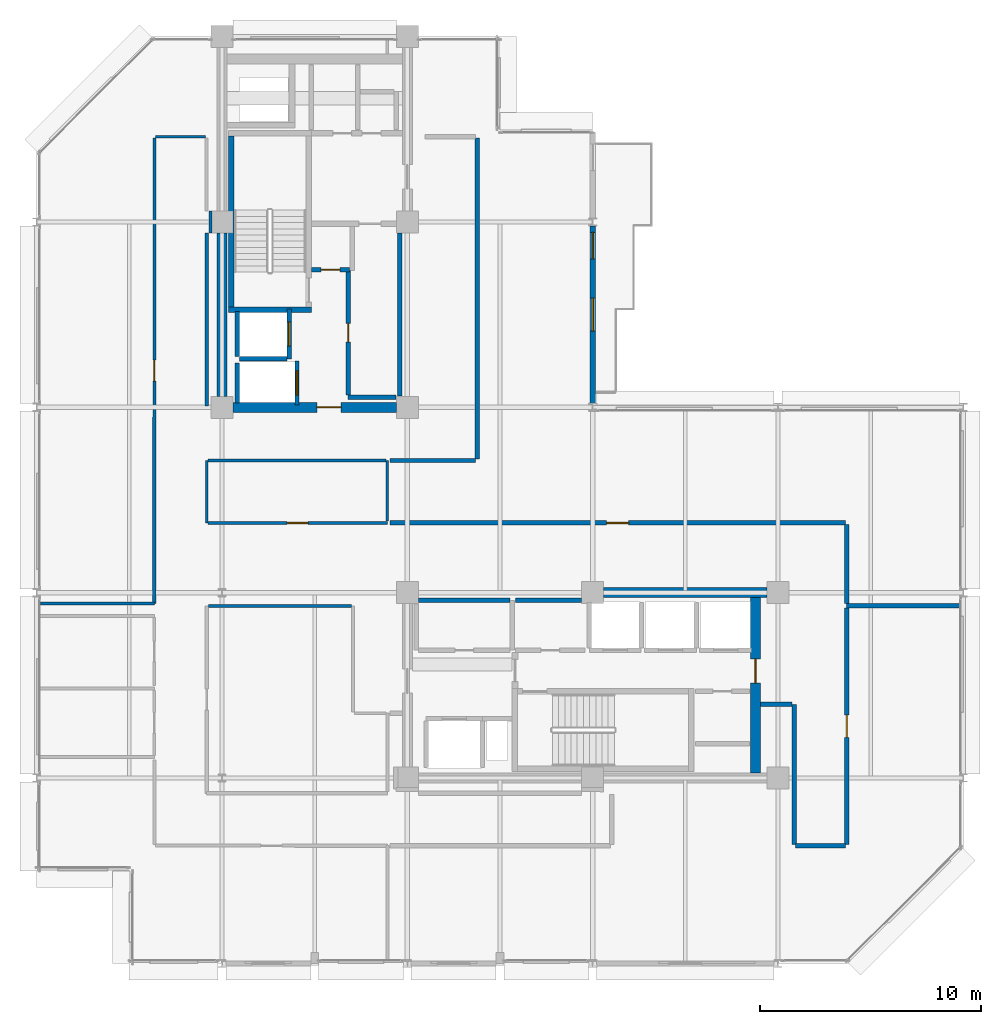
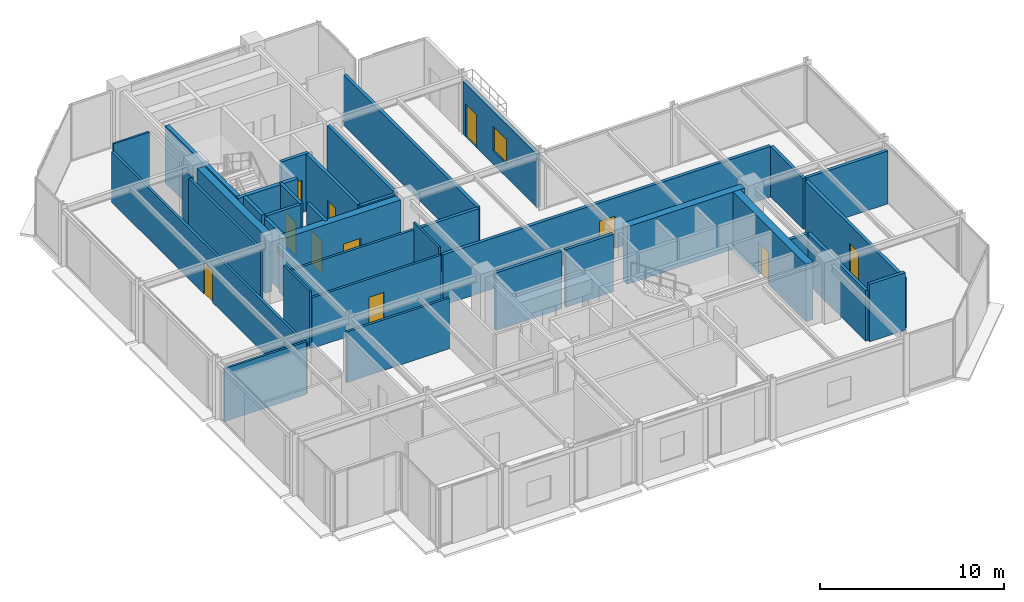
# One storey, part 21 of 26: 37 walls, 11 doors, 1 window, 12 openings.
"""IFC4 building model written with IfcOpenShell, lengths in metres."""

from ifc_helpers import new_model, si_unit, direction, frame, frame_2d, origin, place, context, subcontext, project, spatial, rectangle, extrude, material, layer, layer_set, type_object, element, fill, save


model = new_model("IFC4")

# Units and contexts
model_context = context("Model", 3, precision=1e-05, world=origin(), true_north=direction((0.0, 1.0)))
body_context = subcontext(model_context, "Body", "Model", "MODEL_VIEW")
ifc_project = project(units=[si_unit("LENGTHUNIT", "METRE"), si_unit("AREAUNIT", "SQUARE_METRE"), si_unit("VOLUMEUNIT", "CUBIC_METRE"), si_unit("PLANEANGLEUNIT", "RADIAN"), si_unit("MASSUNIT", "GRAM", prefix="KILO")], contexts=[model_context])

# Site, building, storey
site_placement = place(None, origin())
site = spatial("IfcSite", under=ifc_project, at=site_placement, CompositionType="ELEMENT")
building_placement = place(site_placement, origin())
building = spatial("IfcBuilding", under=site, at=building_placement, Name="Nerrivon Quay Data Exchange", CompositionType="ELEMENT")
storey_placement = place(building_placement, frame((0.0, 0.0, 228.800048828125)))
storey = spatial("IfcBuildingStorey", under=building, at=storey_placement, Name="L54", CompositionType="ELEMENT", Elevation=228.800048828125)

# Wall, openings, door, window
ifc_material_1 = material(Name="Architectural terracotta precast concrete N50 (50 MPa)", Category="masonry")
ifc_layer_1 = layer(ifc_material_1, 0.239990234375)
ifc_layer_set_1 = layer_set([ifc_layer_1], Name="Architectural terracotta precast concrete N50 (50 MPa)")
wall_type_1 = type_object("IfcWallType", Name="EW-PREC-240", PredefinedType="STANDARD", material=ifc_layer_set_1)
wall_1_placement = place(storey_placement, frame((25.199951171875, 33.425048828125, 0.0), z_axis=(0.0, 0.0, 1.0), x_axis=(0.0, -1.0, 0.0)))
wall_1 = element("IfcWall", 1, at=wall_1_placement, inside=storey, type_object=wall_type_1, Name="L54 Terrace Host Wall 23", PredefinedType="STANDARD", context=body_context, shape_type="SweptSolid", body=[
    extrude(rectangle(XDim=8.050048828125, YDim=0.239990234375, at=frame_2d((4.02490234375, 0.0))), origin(), (0.0, 0.0, 1.0), 3.52490234375),
])
opening_1_placement = place(wall_1_placement, frame((0.300048828125, 0.0, 0.0)))
opening_1 = element("IfcOpeningElement", 2, at=opening_1_placement, cuts=wall_1, Name="Opening TD1", PredefinedType="OPENING", context=body_context, shape_type="SweptSolid", body=[
    extrude(rectangle(XDim=1.199951171875, YDim=2.199951171875, at=frame_2d((0.60009765625, 1.10009765625))), frame((0.0, 0.1298828125, 0.0), z_axis=(0.0, -1.0, 0.0), x_axis=(1.0, 0.0, 0.0)), (0.0, 0.0, 1.0), 0.260009765625),
])
opening_2_placement = place(wall_1_placement, frame((3.27490234375, 0.0, 0.89990234375)))
opening_2 = element("IfcOpeningElement", 3, at=opening_2_placement, cuts=wall_1, Name="Opening WN4", PredefinedType="OPENING", context=body_context, shape_type="SweptSolid", body=[
    extrude(rectangle(XDim=1.5, YDim=1.60009765625, at=frame_2d((0.75, 0.800048828125))), frame((0.0, 0.1298828125, 0.0), z_axis=(0.0, -1.0, 0.0), x_axis=(1.0, 0.0, 0.0)), (0.0, 0.0, 1.0), 0.260009765625),
])
ifc_material_2 = material(Name="Double-glazed low-E solar control glass", Category="glass")
door_type_1 = type_object("IfcDoorType", Name="DR-TERR-1200x2200", OperationType="NOTDEFINED", PredefinedType="DOOR", material=ifc_material_2)
door_1_placement = place(opening_1_placement, origin())
door_1 = element("IfcDoor", 4, at=door_1_placement, inside=storey, type_object=door_type_1, Name="L54 Outdoor Terrace Access Door 23", OperationType="SINGLE_SWING_RIGHT", OverallHeight=2.199951171875, OverallWidth=1.199951171875, PredefinedType="DOOR", context=body_context, shape_type="SweptSolid", body=[
    extrude(rectangle(XDim=1.199951171875, YDim=2.199951171875, at=frame_2d((0.60009765625, 1.10009765625))), frame((0.0, 0.02490234375, 0.0), z_axis=(0.0, -1.0, 0.0), x_axis=(1.0, 0.0, 0.0)), (0.0, 0.0, 1.0), 0.050048828125),
])
fill(opening_1, door_1)
window_type = type_object("IfcWindowType", Name="WIN-W4-1500x1600", PartitioningType="SINGLE_PANEL", PredefinedType="WINDOW", material=ifc_material_2)
window_placement = place(opening_2_placement, origin())
window = element("IfcWindow", 5, at=window_placement, inside=storey, type_object=window_type, Name="L54 Terrace Side Window 23", OverallHeight=1.60009765625, OverallWidth=1.5, PartitioningType="SINGLE_PANEL", PredefinedType="WINDOW", context=body_context, shape_type="SweptSolid", body=[
    extrude(rectangle(XDim=1.5, YDim=1.60009765625, at=frame_2d((0.75, 0.800048828125))), frame((0.0, 0.030029296875, 0.0), z_axis=(0.0, -1.0, 0.0), x_axis=(1.0, 0.0, 0.0)), (0.0, 0.0, 1.0), 0.06005859375),
])
fill(opening_2, window)

# Wall
ifc_material_3 = material(Name="Concrete N50 (50 MPa)", Category="concrete")
ifc_layer_2 = layer(ifc_material_3, 0.449951171875)
ifc_layer_set_2 = layer_set([ifc_layer_2], Name="Concrete N50 (50 MPa)")
wall_type_2 = type_object("IfcWallType", Name="WALL-CW-550", PredefinedType="SHEAR", material=ifc_layer_set_2)
wall_2_placement = place(storey_placement, frame((8.39990234375, 25.699951171875, 0.0), z_axis=(0.0, 0.0, 1.0), x_axis=(0.0, 1.0, 0.0)))
element("IfcWall", 6, at=wall_2_placement, inside=storey, type_object=wall_type_2, Name="L54 West Split-Core Shear Wall WCW-W1", PredefinedType="SHEAR", context=body_context, shape_type="SweptSolid", body=[
    extrude(rectangle(XDim=7.400146484375, YDim=0.449951171875, at=frame_2d((3.7001953125, 0.0))), origin(), (0.0, 0.0, 1.0), 3.824951171875),
])

# Wall, opening, door
wall_3_placement = place(storey_placement, frame((8.89990234375, 25.199951171875, 0.0), z_axis=(0.0, 0.0, 1.0), x_axis=(1.0, 0.0, 0.0)))
wall_3 = element("IfcWall", 7, at=wall_3_placement, inside=storey, type_object=wall_type_2, Name="L54 West Split-Core Shear Wall WCW-S1", PredefinedType="SHEAR", context=body_context, shape_type="SweptSolid", body=[
    extrude(rectangle(XDim=7.400146484375, YDim=0.449951171875, at=frame_2d((3.7001953125, 0.0))), origin(), (0.0, 0.0, 1.0), 3.824951171875),
])
opening_3_placement = place(wall_3_placement, frame((3.800048828125, 0.0, 0.0)))
opening_3 = element("IfcOpeningElement", 8, at=opening_3_placement, cuts=wall_3, Name="Opening FD-120", PredefinedType="OPENING", context=body_context, shape_type="SweptSolid", body=[
    extrude(rectangle(XDim=1.10009765625, YDim=2.14990234375, at=frame_2d((0.550048828125, 1.074951171875))), frame((0.0, 0.23486328125, 0.0), z_axis=(0.0, -1.0, 0.0), x_axis=(1.0, 0.0, 0.0)), (0.0, 0.0, 1.0), 0.469970703125),
])
ifc_material_4 = material(Name="Powder-coated galvanized steel sheet", Category="steel")
door_type_2 = type_object("IfcDoorType", Name="DR-FD120-1100", OperationType="NOTDEFINED", PredefinedType="DOOR", material=ifc_material_4)
door_2_placement = place(opening_3_placement, origin())
door_2 = element("IfcDoor", 9, at=door_2_placement, inside=storey, type_object=door_type_2, Name="L54 West Core Lobby Fire Door", OperationType="SINGLE_SWING_LEFT", OverallHeight=2.14990234375, OverallWidth=1.10009765625, PredefinedType="DOOR", context=body_context, shape_type="SweptSolid", body=[
    extrude(rectangle(XDim=1.10009765625, YDim=2.14990234375, at=frame_2d((0.550048828125, 1.074951171875))), frame((0.0, 0.02490234375, 0.0), z_axis=(0.0, -1.0, 0.0), x_axis=(1.0, 0.0, 0.0)), (0.0, 0.0, 1.0), 0.050048828125),
])
fill(opening_3, door_2)

wall_4_placement = place(storey_placement, frame((32.574951171875, 8.625, 0.0), z_axis=(0.0, 0.0, 1.0), x_axis=(0.0, 1.0, 0.0)))
wall_4 = element("IfcWall", 10, at=wall_4_placement, inside=storey, type_object=wall_type_2, Name="L54 East Split-Core Shear Wall ECW-E1", PredefinedType="SHEAR", context=body_context, shape_type="SweptSolid", body=[
    extrude(rectangle(XDim=7.949951171875, YDim=0.449951171875, at=frame_2d((3.97509765625, 0.0))), origin(), (0.0, 0.0, 1.0), 3.824951171875),
])
opening_4_placement = place(wall_4_placement, frame((4.074951171875, 0.0, 0.0)))
opening_4 = element("IfcOpeningElement", 11, at=opening_4_placement, cuts=wall_4, Name="Opening FD-120", PredefinedType="OPENING", context=body_context, shape_type="SweptSolid", body=[
    extrude(rectangle(XDim=1.10009765625, YDim=2.14990234375, at=frame_2d((0.550048828125, 1.074951171875))), frame((0.0, 0.23486328125, 0.0), z_axis=(0.0, -1.0, 0.0), x_axis=(1.0, 0.0, 0.0)), (0.0, 0.0, 1.0), 0.469970703125),
])
door_3_placement = place(opening_4_placement, origin())
door_3 = element("IfcDoor", 12, at=door_3_placement, inside=storey, type_object=door_type_2, Name="L54 East Core Lobby Fire Door", OperationType="SINGLE_SWING_RIGHT", OverallHeight=2.14990234375, OverallWidth=1.10009765625, PredefinedType="DOOR", context=body_context, shape_type="SweptSolid", body=[
    extrude(rectangle(XDim=1.10009765625, YDim=2.14990234375, at=frame_2d((0.550048828125, 1.074951171875))), frame((0.0, 0.02490234375, 0.0), z_axis=(0.0, -1.0, 0.0), x_axis=(1.0, 0.0, 0.0)), (0.0, 0.0, 1.0), 0.050048828125),
])
fill(opening_4, door_3)

# Wall
wall_5_placement = place(storey_placement, frame((25.699951171875, 16.800048828125, 0.0), z_axis=(0.0, 0.0, 1.0), x_axis=(1.0, 0.0, 0.0)))
element("IfcWall", 13, at=wall_5_placement, inside=storey, type_object=wall_type_2, Name="L54 East Split-Core Shear Wall ECW-N1", PredefinedType="SHEAR", context=body_context, shape_type="SweptSolid", body=[
    extrude(rectangle(XDim=7.400146484375, YDim=0.449951171875, at=frame_2d((3.7001953125, 0.0))), origin(), (0.0, 0.0, 1.0), 3.824951171875),
])

# Wall, opening, door
ifc_material_5 = material(Name="Gypsum plasterboard on cold-formed framing", Category="gypsum")
ifc_layer_3 = layer(ifc_material_5, 0.199951171875)
ifc_layer_set_3 = layer_set([ifc_layer_3], Name="Gypsum plasterboard on cold-formed framing")
wall_type_3 = type_object("IfcWallType", Name="WALL-FW-200", PredefinedType="PARTITIONING", material=ifc_layer_set_3)
wall_6_placement = place(storey_placement, frame((11.449951171875, 27.39990234375, 0.0), z_axis=(0.0, 0.0, 1.0), x_axis=(0.0, 1.0, 0.0)))
wall_6 = element("IfcWall", 14, at=wall_6_placement, inside=storey, type_object=wall_type_3, Name="L54 Lift Front Wall FFL-1", PredefinedType="PARTITIONING", context=body_context, shape_type="SweptSolid", body=[
    extrude(rectangle(XDim=2.25, YDim=0.199951171875, at=frame_2d((1.125, 0.0))), origin(), (0.0, 0.0, 1.0), 3.824951171875),
])
opening_5_placement = place(wall_6_placement, frame((0.574951171875, 0.0, 0.0)))
opening_5 = element("IfcOpeningElement", 15, at=opening_5_placement, cuts=wall_6, Name="Opening LD-120", PredefinedType="OPENING", context=body_context, shape_type="SweptSolid", body=[
    extrude(rectangle(XDim=1.10009765625, YDim=2.199951171875, at=frame_2d((0.550048828125, 1.10009765625))), frame((0.0, 0.10986328125, 0.0), z_axis=(0.0, -1.0, 0.0), x_axis=(1.0, 0.0, 0.0)), (0.0, 0.0, 1.0), 0.219970703125),
])
door_type_3 = type_object("IfcDoorType", Name="DR-LIFT-LD120", OperationType="DOUBLE_DOOR_SLIDING", PredefinedType="DOOR", material=ifc_material_4)
door_4_placement = place(opening_5_placement, origin())
door_4 = element("IfcDoor", 16, at=door_4_placement, inside=storey, type_object=door_type_3, Name="L54 Lift Landing Sliding Door FFL-1", OperationType="DOUBLE_DOOR_SLIDING", OverallHeight=2.199951171875, OverallWidth=1.10009765625, PredefinedType="DOOR", context=body_context, shape_type="SweptSolid", body=[
    extrude(rectangle(XDim=1.10009765625, YDim=2.199951171875, at=frame_2d((0.550048828125, 1.10009765625))), frame((0.0, 0.02490234375, 0.0), z_axis=(0.0, -1.0, 0.0), x_axis=(1.0, 0.0, 0.0)), (0.0, 0.0, 1.0), 0.050048828125),
])
fill(opening_5, door_4)

# Walls
wall_7_placement = place(storey_placement, frame((9.10009765625, 27.5, 0.0), z_axis=(0.0, 0.0, 1.0), x_axis=(0.0, 1.0, 0.0)))
element("IfcWall", 17, at=wall_7_placement, inside=storey, type_object=wall_type_3, Name="L54 Lift Shaft Wall FFL-1 WEST", PredefinedType="PARTITIONING", context=body_context, shape_type="SweptSolid", body=[
    extrude(rectangle(XDim=2.050048828125, YDim=0.199951171875, at=frame_2d((1.02490234375, 0.0))), origin(), (0.0, 0.0, 1.0), 3.824951171875),
])
wall_8_placement = place(storey_placement, frame((9.199951171875, 27.39990234375, 0.0), z_axis=(0.0, 0.0, 1.0), x_axis=(1.0, 0.0, 0.0)))
element("IfcWall", 18, at=wall_8_placement, inside=storey, type_object=wall_type_3, Name="L54 Lift Shaft Wall FFL-1 SOUTH", PredefinedType="PARTITIONING", context=body_context, shape_type="SweptSolid", body=[
    extrude(rectangle(XDim=2.150146484375, YDim=0.199951171875, at=frame_2d((1.0751953125, 0.0))), origin(), (0.0, 0.0, 1.0), 3.824951171875),
])

# Wall, opening, door
wall_9_placement = place(storey_placement, frame((11.800048828125, 25.300048828125, 0.0), z_axis=(0.0, 0.0, 1.0), x_axis=(0.0, 1.0, 0.0)))
wall_9 = element("IfcWall", 19, at=wall_9_placement, inside=storey, type_object=wall_type_3, Name="L54 Lift Front Wall SVL-1", PredefinedType="PARTITIONING", context=body_context, shape_type="SweptSolid", body=[
    extrude(rectangle(XDim=2.0, YDim=0.199951171875, at=frame_2d((1.0, 0.0))), origin(), (0.0, 0.0, 1.0), 3.824951171875),
])
opening_6_placement = place(wall_9_placement, frame((0.449951171875, 0.0, 0.0)))
opening_6 = element("IfcOpeningElement", 20, at=opening_6_placement, cuts=wall_9, Name="Opening LD-120", PredefinedType="OPENING", context=body_context, shape_type="SweptSolid", body=[
    extrude(rectangle(XDim=1.10009765625, YDim=2.199951171875, at=frame_2d((0.550048828125, 1.10009765625))), frame((0.0, 0.10986328125, 0.0), z_axis=(0.0, -1.0, 0.0), x_axis=(1.0, 0.0, 0.0)), (0.0, 0.0, 1.0), 0.219970703125),
])
door_5_placement = place(opening_6_placement, origin())
door_5 = element("IfcDoor", 21, at=door_5_placement, inside=storey, type_object=door_type_3, Name="L54 Lift Landing Sliding Door SVL-1", OperationType="DOUBLE_DOOR_SLIDING", OverallHeight=2.199951171875, OverallWidth=1.10009765625, PredefinedType="DOOR", context=body_context, shape_type="SweptSolid", body=[
    extrude(rectangle(XDim=1.10009765625, YDim=2.199951171875, at=frame_2d((0.550048828125, 1.10009765625))), frame((0.0, 0.02490234375, 0.0), z_axis=(0.0, -1.0, 0.0), x_axis=(1.0, 0.0, 0.0)), (0.0, 0.0, 1.0), 0.050048828125),
])
fill(opening_6, door_5)

# Walls
wall_10_placement = place(storey_placement, frame((9.10009765625, 25.39990234375, 0.0), z_axis=(0.0, 0.0, 1.0), x_axis=(0.0, 1.0, 0.0)))
element("IfcWall", 22, at=wall_10_placement, inside=storey, type_object=wall_type_3, Name="L54 Lift Shaft Wall SVL-1 WEST", PredefinedType="PARTITIONING", context=body_context, shape_type="SweptSolid", body=[
    extrude(rectangle(XDim=1.800048828125, YDim=0.199951171875, at=frame_2d((0.89990234375, 0.0))), origin(), (0.0, 0.0, 1.0), 3.824951171875),
])
wall_11_placement = place(storey_placement, frame((14.1201171875, 25.64990234375, 0.0), z_axis=(0.0, 0.0, 1.0), x_axis=(1.0, 0.0, 0.0)))
element("IfcWall", 23, at=wall_11_placement, inside=storey, type_object=wall_type_3, Name="L54 Partition Core Equipment Store", PredefinedType="PARTITIONING", context=body_context, shape_type="SweptSolid", body=[
    extrude(rectangle(XDim=2.1748046875, YDim=0.199951171875, at=frame_2d((1.08740234375, 0.0))), origin(), (0.0, 0.0, 1.0), 3.824951171875),
])
wall_12_placement = place(storey_placement, frame((16.449951171875, 25.705078125, 0.0), z_axis=(0.0, 0.0, 1.0), x_axis=(0.0, 1.0, 0.0)))
element("IfcWall", 24, at=wall_12_placement, inside=storey, type_object=wall_type_3, Name="L54 Partition Core Equipment Store", PredefinedType="PARTITIONING", context=body_context, shape_type="SweptSolid", body=[
    extrude(rectangle(XDim=7.389892578125, YDim=0.199951171875, at=frame_2d((3.69482421875, 0.0))), origin(), (0.0, 0.0, 1.0), 3.824951171875),
])

# Wall, opening, door
wall_13_placement = place(storey_placement, frame((14.1201171875, 31.39990234375, 0.0), z_axis=(0.0, 0.0, 1.0), x_axis=(0.0, -1.0, 0.0)))
wall_13 = element("IfcWall", 25, at=wall_13_placement, inside=storey, type_object=wall_type_3, Name="L54 Partition Core Equipment Store", PredefinedType="PARTITIONING", context=body_context, shape_type="SweptSolid", body=[
    extrude(rectangle(XDim=5.64599609375, YDim=0.199951171875, at=frame_2d((2.822998046875, 0.0))), origin(), (0.0, 0.0, 1.0), 3.824951171875),
])
opening_7_placement = place(wall_13_placement, frame((2.39794921875, 0.0, 0.0)))
opening_7 = element("IfcOpeningElement", 26, at=opening_7_placement, cuts=wall_13, Name="Opening FD-60S", PredefinedType="OPENING", context=body_context, shape_type="SweptSolid", body=[
    extrude(rectangle(XDim=0.85009765625, YDim=2.14990234375, at=frame_2d((0.425048828125, 1.074951171875))), frame((0.0, 0.10986328125, 0.0), z_axis=(0.0, -1.0, 0.0), x_axis=(1.0, 0.0, 0.0)), (0.0, 0.0, 1.0), 0.219970703125),
])
ifc_material_6 = material(Name="Engineered hardwood timber", Category="wood")
door_type_4 = type_object("IfcDoorType", Name="DR-FD60-850", OperationType="NOTDEFINED", PredefinedType="DOOR", material=ifc_material_6)
door_6_placement = place(opening_7_placement, origin())
door_6 = element("IfcDoor", 27, at=door_6_placement, inside=storey, type_object=door_type_4, Name="L54 Door Core Equipment Store", OperationType="SINGLE_SWING_RIGHT", OverallHeight=2.14990234375, OverallWidth=0.85009765625, PredefinedType="DOOR", context=body_context, shape_type="SweptSolid", body=[
    extrude(rectangle(XDim=0.85009765625, YDim=2.14990234375, at=frame_2d((0.425048828125, 1.074951171875))), frame((0.0, 0.02490234375, 0.0), z_axis=(0.0, -1.0, 0.0), x_axis=(1.0, 0.0, 0.0)), (0.0, 0.0, 1.0), 0.050048828125),
])
fill(opening_7, door_6)

wall_14_placement = place(storey_placement, frame((12.4541015625, 31.43994140625, 0.0), z_axis=(0.0, 0.0, 1.0), x_axis=(1.0, 0.0, 0.0)))
wall_14 = element("IfcWall", 28, at=wall_14_placement, inside=storey, type_object=wall_type_3, Name="L54 Partition Optical Patch Closet", PredefinedType="PARTITIONING", context=body_context, shape_type="SweptSolid", body=[
    extrude(rectangle(XDim=1.725830078125, YDim=0.199951171875, at=frame_2d((0.86279296875, 0.0))), origin(), (0.0, 0.0, 1.0), 3.824951171875),
])
opening_8_placement = place(wall_14_placement, frame((0.43798828125, 0.0, 0.0)))
opening_8 = element("IfcOpeningElement", 29, at=opening_8_placement, cuts=wall_14, Name="Opening FD-60S", PredefinedType="OPENING", context=body_context, shape_type="SweptSolid", body=[
    extrude(rectangle(XDim=0.85009765625, YDim=2.14990234375, at=frame_2d((0.425048828125, 1.074951171875))), frame((0.0, 0.10986328125, 0.0), z_axis=(0.0, -1.0, 0.0), x_axis=(1.0, 0.0, 0.0)), (0.0, 0.0, 1.0), 0.219970703125),
])
door_7_placement = place(opening_8_placement, origin())
door_7 = element("IfcDoor", 30, at=door_7_placement, inside=storey, type_object=door_type_4, Name="L54 Door Optical Patch Closet", OperationType="SINGLE_SWING_LEFT", OverallHeight=2.14990234375, OverallWidth=0.85009765625, PredefinedType="DOOR", context=body_context, shape_type="SweptSolid", body=[
    extrude(rectangle(XDim=0.85009765625, YDim=2.14990234375, at=frame_2d((0.425048828125, 1.074951171875))), frame((0.0, 0.02490234375, 0.0), z_axis=(0.0, -1.0, 0.0), x_axis=(1.0, 0.0, 0.0)), (0.0, 0.0, 1.0), 0.050048828125),
])
fill(opening_8, door_7)

# Walls
wall_15_placement = place(storey_placement, frame((21.446044921875, 16.449951171875, 0.0), z_axis=(0.0, 0.0, 1.0), x_axis=(-1.0, 0.0, 0.0)))
element("IfcWall", 31, at=wall_15_placement, inside=storey, type_object=wall_type_3, Name="L54 Partition High-Zone Calibration Store", PredefinedType="PARTITIONING", context=body_context, shape_type="SweptSolid", body=[
    extrude(rectangle(XDim=4.14111328125, YDim=0.199951171875, at=frame_2d((2.070556640625, 0.0))), origin(), (0.0, 0.0, 1.0), 3.824951171875),
])
wall_16_placement = place(storey_placement, frame((24.695068359375, 16.449951171875, 0.0), z_axis=(0.0, 0.0, 1.0), x_axis=(-1.0, 0.0, 0.0)))
element("IfcWall", 32, at=wall_16_placement, inside=storey, type_object=wall_type_3, Name="L54 Partition High-Zone Network Closet", PredefinedType="PARTITIONING", context=body_context, shape_type="SweptSolid", body=[
    extrude(rectangle(XDim=2.9951171875, YDim=0.199951171875, at=frame_2d((1.49755859375, 0.0))), origin(), (0.0, 0.0, 1.0), 3.824951171875),
])
wall_17_placement = place(storey_placement, frame((41.8310546875, 16.20068359375, 0.0), z_axis=(0.0, 0.0, 1.0), x_axis=(-1.0, 0.0, 0.0)))
element("IfcWall", 33, at=wall_17_placement, inside=storey, type_object=wall_type_3, Name="L54 Partition Colocation Data Workspace 1", PredefinedType="PARTITIONING", context=body_context, shape_type="SweptSolid", body=[
    extrude(rectangle(XDim=5.12109375, YDim=0.199951171875, at=frame_2d((2.560546875, 0.0))), origin(), (0.0, 0.0, 1.0), 3.51806640625),
])

# Wall, opening, door
wall_18_placement = place(storey_placement, frame((36.7099609375, 16.0966796875, 0.0), z_axis=(0.0, 0.0, 1.0), x_axis=(0.0, -1.0, 0.0)))
wall_18 = element("IfcWall", 34, at=wall_18_placement, inside=storey, type_object=wall_type_3, Name="L54 Partition Colocation Data Workspace 1", PredefinedType="PARTITIONING", context=body_context, shape_type="SweptSolid", body=[
    extrude(rectangle(XDim=10.69677734375, YDim=0.199951171875, at=frame_2d((5.348388671875, 0.0))), origin(), (0.0, 0.0, 1.0), 3.364990234375),
])
opening_9_placement = place(wall_18_placement, frame((4.848388671875, 0.0, 0.0)))
opening_9 = element("IfcOpeningElement", 35, at=opening_9_placement, cuts=wall_18, Name="Opening FD-60", PredefinedType="OPENING", context=body_context, shape_type="SweptSolid", body=[
    extrude(rectangle(XDim=1.0, YDim=2.14990234375, at=frame_2d((0.5, 1.074951171875))), frame((0.0, 0.10986328125, 0.0), z_axis=(0.0, -1.0, 0.0), x_axis=(1.0, 0.0, 0.0)), (0.0, 0.0, 1.0), 0.219970703125),
])
door_type_5 = type_object("IfcDoorType", Name="DR-FD60-1000", OperationType="NOTDEFINED", PredefinedType="DOOR", material=ifc_material_6)
door_8_placement = place(opening_9_placement, origin())
door_8 = element("IfcDoor", 36, at=door_8_placement, inside=storey, type_object=door_type_5, Name="L54 Door Colocation Data Workspace 1", OperationType="SINGLE_SWING_LEFT", OverallHeight=2.14990234375, OverallWidth=1.0, PredefinedType="DOOR", context=body_context, shape_type="SweptSolid", body=[
    extrude(rectangle(XDim=1.0, YDim=2.14990234375, at=frame_2d((0.5, 1.074951171875))), frame((0.0, 0.02490234375, 0.0), z_axis=(0.0, -1.0, 0.0), x_axis=(1.0, 0.0, 0.0)), (0.0, 0.0, 1.0), 0.050048828125),
])
fill(opening_9, door_8)

# Walls
wall_19_placement = place(storey_placement, frame((36.64990234375, 5.340087890625, 0.0), z_axis=(0.0, 0.0, 1.0), x_axis=(-1.0, 0.0, 0.0)))
element("IfcWall", 37, at=wall_19_placement, inside=storey, type_object=wall_type_3, Name="L54 Partition Colocation Data Workspace 1", PredefinedType="PARTITIONING", context=body_context, shape_type="SweptSolid", body=[
    extrude(rectangle(XDim=2.25, YDim=0.199951171875, at=frame_2d((1.125, 0.0))), origin(), (0.0, 0.0, 1.0), 3.824951171875),
])
wall_20_placement = place(storey_placement, frame((34.340087890625, 5.39990234375, 0.0), z_axis=(0.0, 0.0, 1.0), x_axis=(0.0, 1.0, 0.0)))
element("IfcWall", 38, at=wall_20_placement, inside=storey, type_object=wall_type_3, Name="L54 Partition Colocation Data Workspace 1", PredefinedType="PARTITIONING", context=body_context, shape_type="SweptSolid", body=[
    extrude(rectangle(XDim=6.340087890625, YDim=0.199951171875, at=frame_2d((3.169921875, 0.0))), origin(), (0.0, 0.0, 1.0), 3.364990234375),
])
wall_21_placement = place(storey_placement, frame((34.236083984375, 11.739990234375, 0.0), z_axis=(0.0, 0.0, 1.0), x_axis=(-1.0, 0.0, 0.0)))
element("IfcWall", 39, at=wall_21_placement, inside=storey, type_object=wall_type_3, Name="L54 Partition Colocation Data Workspace 1", PredefinedType="PARTITIONING", context=body_context, shape_type="SweptSolid", body=[
    extrude(rectangle(XDim=1.43212890625, YDim=0.199951171875, at=frame_2d((0.716064453125, 0.0))), origin(), (0.0, 0.0, 1.0), 3.370849609375),
])
wall_22_placement = place(storey_placement, frame((36.7099609375, 19.89990234375, 0.0), z_axis=(0.0, 0.0, 1.0), x_axis=(0.0, -1.0, 0.0)))
element("IfcWall", 40, at=wall_22_placement, inside=storey, type_object=wall_type_3, Name="L54 Partition Colocation Data Workspace 6", PredefinedType="PARTITIONING", context=body_context, shape_type="SweptSolid", body=[
    extrude(rectangle(XDim=3.5791015625, YDim=0.199951171875, at=frame_2d((1.78955078125, 0.0))), origin(), (0.0, 0.0, 1.0), 3.364990234375),
])
wall_23_placement = place(storey_placement, frame((19.9599609375, 37.39990234375, 0.0), z_axis=(0.0, 0.0, 1.0), x_axis=(0.0, -1.0, 0.0)))
element("IfcWall", 41, at=wall_23_placement, inside=storey, type_object=wall_type_3, Name="L54 Partition Colocation Data Workspace 6", PredefinedType="PARTITIONING", context=body_context, shape_type="SweptSolid", body=[
    extrude(rectangle(XDim=14.5498046875, YDim=0.199951171875, at=frame_2d((7.27490234375, 0.0))), origin(), (0.0, 0.0, 1.0), 3.364990234375),
])
wall_24_placement = place(storey_placement, frame((19.89990234375, 22.7900390625, 0.0), z_axis=(0.0, 0.0, 1.0), x_axis=(-1.0, 0.0, 0.0)))
element("IfcWall", 42, at=wall_24_placement, inside=storey, type_object=wall_type_3, Name="L54 Partition Colocation Data Workspace 6", PredefinedType="PARTITIONING", context=body_context, shape_type="SweptSolid", body=[
    extrude(rectangle(XDim=3.88525390625, YDim=0.199951171875, at=frame_2d((1.942626953125, 0.0))), origin(), (0.0, 0.0, 1.0), 3.370849609375),
])

# Wall, opening, door
wall_25_placement = place(storey_placement, frame((16.0146484375, 19.9599609375, 0.0), z_axis=(0.0, 0.0, 1.0), x_axis=(1.0, 0.0, 0.0)))
wall_25 = element("IfcWall", 43, at=wall_25_placement, inside=storey, type_object=wall_type_3, Name="L54 Partition Colocation Data Workspace 6", PredefinedType="PARTITIONING", context=body_context, shape_type="SweptSolid", body=[
    extrude(rectangle(XDim=20.63525390625, YDim=0.199951171875, at=frame_2d((10.317626953125, 0.0))), origin(), (0.0, 0.0, 1.0), 3.370849609375),
])
opening_10_placement = place(wall_25_placement, frame((9.817626953125, 0.0, 0.0)))
opening_10 = element("IfcOpeningElement", 44, at=opening_10_placement, cuts=wall_25, Name="Opening FD-60", PredefinedType="OPENING", context=body_context, shape_type="SweptSolid", body=[
    extrude(rectangle(XDim=1.0, YDim=2.14990234375, at=frame_2d((0.5, 1.074951171875))), frame((0.0, 0.10986328125, 0.0), z_axis=(0.0, -1.0, 0.0), x_axis=(1.0, 0.0, 0.0)), (0.0, 0.0, 1.0), 0.219970703125),
])
door_9_placement = place(opening_10_placement, origin())
door_9 = element("IfcDoor", 45, at=door_9_placement, inside=storey, type_object=door_type_5, Name="L54 Door Colocation Data Workspace 6", OperationType="SINGLE_SWING_RIGHT", OverallHeight=2.14990234375, OverallWidth=1.0, PredefinedType="DOOR", context=body_context, shape_type="SweptSolid", body=[
    extrude(rectangle(XDim=1.0, YDim=2.14990234375, at=frame_2d((0.5, 1.074951171875))), frame((0.0, 0.02490234375, 0.0), z_axis=(0.0, -1.0, 0.0), x_axis=(1.0, 0.0, 0.0)), (0.0, 0.0, 1.0), 0.050048828125),
])
fill(opening_10, door_9)

# Walls
ifc_layer_4 = layer(ifc_material_5, 0.1201171875)
ifc_layer_set_4 = layer_set([ifc_layer_4], Name="Gypsum plasterboard on cold-formed framing")
wall_type_4 = type_object("IfcWallType", Name="WALL-PT-120", PredefinedType="PARTITIONING", material=ifc_layer_set_4)
wall_26_placement = place(storey_placement, frame((7.7099609375, 22.7900390625, 0.0), z_axis=(0.0, 0.0, 1.0), x_axis=(0.0, -1.0, 0.0)))
element("IfcWall", 46, at=wall_26_placement, inside=storey, type_object=wall_type_4, Name="L54 Partition Staff Pantry", PredefinedType="PARTITIONING", context=body_context, shape_type="SweptSolid", body=[
    extrude(rectangle(XDim=2.830078125, YDim=0.1201171875, at=frame_2d((1.4150390625, 0.0))), origin(), (0.0, 0.0, 1.0), 3.824951171875),
])
wall_27_placement = place(storey_placement, frame((15.89453125, 20.0390625, 0.0), z_axis=(0.0, 0.0, 1.0), x_axis=(0.0, 1.0, 0.0)))
element("IfcWall", 47, at=wall_27_placement, inside=storey, type_object=wall_type_4, Name="L54 Partition Staff Pantry", PredefinedType="PARTITIONING", context=body_context, shape_type="SweptSolid", body=[
    extrude(rectangle(XDim=2.7509765625, YDim=0.1201171875, at=frame_2d((1.37548828125, 0.0))), origin(), (0.0, 0.0, 1.0), 3.824951171875),
])
wall_28_placement = place(storey_placement, frame((7.880859375, 33.09423828125, 0.0), z_axis=(0.0, 0.0, 1.0), x_axis=(-0.000970873329, 0.999999528702, 0.0)))
element("IfcWall", 48, at=wall_28_placement, inside=storey, type_object=wall_type_4, Name="L54 Partition Technical Library", PredefinedType="PARTITIONING", context=body_context, shape_type="SweptSolid", body=[
    extrude(rectangle(XDim=1.005859375, YDim=0.1201171875, at=frame_2d((0.5029296875, 0.0))), origin(), (0.0, 0.0, 1.0), 3.364990234375),
])
wall_29_placement = place(storey_placement, frame((5.39990234375, 37.4599609375, 0.0), z_axis=(0.0, 0.0, 1.0), x_axis=(1.0, 0.0, 0.0)))
element("IfcWall", 49, at=wall_29_placement, inside=storey, type_object=wall_type_4, Name="L54 Partition Technical Library", PredefinedType="PARTITIONING", context=body_context, shape_type="SweptSolid", body=[
    extrude(rectangle(XDim=2.25, YDim=0.1201171875, at=frame_2d((1.125, 0.0))), origin(), (0.0, 0.0, 1.0), 3.824951171875),
])
ifc_layer_5 = layer(ifc_material_5, 0.135009765625)
ifc_layer_set_5 = layer_set([ifc_layer_5], Name="Gypsum plasterboard on cold-formed framing")
wall_type_5 = type_object("IfcWallType", Name="WALL-PT-135", PredefinedType="PARTITIONING", material=ifc_layer_set_5)
wall_30_placement = place(storey_placement, frame((0.1689453125, 16.32080078125, 0.0), z_axis=(0.0, 0.0, 1.0), x_axis=(1.0, 0.0, 0.0)))
element("IfcWall", 50, at=wall_30_placement, inside=storey, type_object=wall_type_5, Name="L54 Partition Technical Library", PredefinedType="PARTITIONING", context=body_context, shape_type="SweptSolid", body=[
    extrude(rectangle(XDim=5.171142578125, YDim=0.135009765625, at=frame_2d((2.58544921875, 0.0))), origin(), (0.0, 0.0, 1.0), 3.51806640625),
])

# Wall, opening, door
ifc_layer_6 = layer(ifc_material_5, 0.14990234375)
ifc_layer_set_6 = layer_set([ifc_layer_6], Name="Gypsum plasterboard on cold-formed framing")
wall_type_6 = type_object("IfcWallType", Name="WALL-PT-150", PredefinedType="PARTITIONING", material=ifc_layer_set_6)
wall_31_placement = place(storey_placement, frame((7.77392578125, 19.9599609375, 0.0), z_axis=(0.0, 0.0, 1.0), x_axis=(1.0, 0.0, 0.0)))
wall_31 = element("IfcWall", 51, at=wall_31_placement, inside=storey, type_object=wall_type_6, Name="L54 Partition Staff Pantry", PredefinedType="PARTITIONING", context=body_context, shape_type="SweptSolid", body=[
    extrude(rectangle(XDim=8.12060546875, YDim=0.14990234375, at=frame_2d((4.060302734375, 0.0))), origin(), (0.0, 0.0, 1.0), 3.370849609375),
])
opening_11_placement = place(wall_31_placement, frame((3.585205078125, 0.0, 0.0)))
opening_11 = element("IfcOpeningElement", 52, at=opening_11_placement, cuts=wall_31, Name="Opening D-01", PredefinedType="OPENING", context=body_context, shape_type="SweptSolid", body=[
    extrude(rectangle(XDim=0.949951171875, YDim=2.14990234375, at=frame_2d((0.47509765625, 1.074951171875))), frame((0.0, 0.0849609375, 0.0), z_axis=(0.0, -1.0, 0.0), x_axis=(1.0, 0.0, 0.0)), (0.0, 0.0, 1.0), 0.169921875),
])
door_type_6 = type_object("IfcDoorType", Name="DR-INT-950", OperationType="NOTDEFINED", PredefinedType="DOOR", material=ifc_material_6)
door_10_placement = place(opening_11_placement, origin())
door_10 = element("IfcDoor", 53, at=door_10_placement, inside=storey, type_object=door_type_6, Name="L54 Door Staff Pantry", OperationType="SINGLE_SWING_LEFT", OverallHeight=2.14990234375, OverallWidth=0.949951171875, PredefinedType="DOOR", context=body_context, shape_type="SweptSolid", body=[
    extrude(rectangle(XDim=0.949951171875, YDim=2.14990234375, at=frame_2d((0.47509765625, 1.074951171875))), frame((0.0, 0.02490234375, 0.0), z_axis=(0.0, -1.0, 0.0), x_axis=(1.0, 0.0, 0.0)), (0.0, 0.0, 1.0), 0.050048828125),
])
fill(opening_11, door_10)

# Walls
wall_32_placement = place(storey_placement, frame((15.83056640625, 22.7900390625, 0.0), z_axis=(0.0, 0.0, 1.0), x_axis=(-1.0, 0.0, 0.0)))
element("IfcWall", 54, at=wall_32_placement, inside=storey, type_object=wall_type_6, Name="L54 Partition Staff Pantry", PredefinedType="PARTITIONING", context=body_context, shape_type="SweptSolid", body=[
    extrude(rectangle(XDim=8.056640625, YDim=0.14990234375, at=frame_2d((4.0283203125, 0.0))), origin(), (0.0, 0.0, 1.0), 3.370849609375),
])
wall_33_placement = place(storey_placement, frame((14.2685546875, 16.20068359375, 0.0), z_axis=(0.0, 0.0, 1.0), x_axis=(-1.0, 0.0, 0.0)))
element("IfcWall", 55, at=wall_33_placement, inside=storey, type_object=wall_type_6, Name="L54 Partition Engineers Lounge", PredefinedType="PARTITIONING", context=body_context, shape_type="SweptSolid", body=[
    extrude(rectangle(XDim=6.4794921875, YDim=0.14990234375, at=frame_2d((3.23974609375, 0.0))), origin(), (0.0, 0.0, 1.0), 3.370849609375),
])

# Wall, opening, door
wall_34_placement = place(storey_placement, frame((5.340087890625, 16.32080078125, 0.0), z_axis=(0.0, 0.0, 1.0), x_axis=(1.1578765e-05, 0.999999999933, 0.0)))
wall_34 = element("IfcWall", 56, at=wall_34_placement, inside=storey, type_object=wall_type_6, Name="L54 Partition Technical Library", PredefinedType="PARTITIONING", context=body_context, shape_type="SweptSolid", body=[
    extrude(rectangle(XDim=21.085205078125, YDim=0.14990234375, at=frame_2d((10.54248046875, 0.0))), origin(), (0.0, 0.0, 1.0), 3.364990234375),
])
opening_12_placement = place(wall_34_placement, frame((10.067626953125, 0.0, 0.0)))
opening_12 = element("IfcOpeningElement", 57, at=opening_12_placement, cuts=wall_34, Name="Opening D-01", PredefinedType="OPENING", context=body_context, shape_type="SweptSolid", body=[
    extrude(rectangle(XDim=0.949951171875, YDim=2.14990234375, at=frame_2d((0.47509765625, 1.074951171875))), frame((0.0, 0.0849609375, 0.0), z_axis=(0.0, -1.0, 0.0), x_axis=(1.0, 0.0, 0.0)), (0.0, 0.0, 1.0), 0.169921875),
])
door_11_placement = place(opening_12_placement, origin())
door_11 = element("IfcDoor", 58, at=door_11_placement, inside=storey, type_object=door_type_6, Name="L54 Door Technical Library", OperationType="SINGLE_SWING_RIGHT", OverallHeight=2.14990234375, OverallWidth=0.949951171875, PredefinedType="DOOR", context=body_context, shape_type="SweptSolid", body=[
    extrude(rectangle(XDim=0.949951171875, YDim=2.14990234375, at=frame_2d((0.47509765625, 1.074951171875))), frame((0.0, 0.02490234375, 0.0), z_axis=(0.0, -1.0, 0.0), x_axis=(1.0, 0.0, 0.0)), (0.0, 0.0, 1.0), 0.050048828125),
])
fill(opening_12, door_11)

# Walls
wall_35_placement = place(storey_placement, frame((7.7099609375, 33.093994140625, 0.0), z_axis=(0.0, 0.0, 1.0), x_axis=(0.0, -1.0, 0.0)))
element("IfcWall", 59, at=wall_35_placement, inside=storey, type_object=wall_type_6, Name="L54 Partition Technical Library", PredefinedType="PARTITIONING", context=body_context, shape_type="SweptSolid", body=[
    extrude(rectangle(XDim=7.833984375, YDim=0.14990234375, at=frame_2d((3.9169921875, 0.0))), origin(), (0.0, 0.0, 1.0), 3.364990234375),
])
ifc_layer_7 = layer(ifc_material_3, 0.25)
ifc_layer_set_7 = layer_set([ifc_layer_7], Name="Concrete N50 (50 MPa)")
wall_type_7 = type_object("IfcWallType", Name="WALL-SW-250", PredefinedType="SHEAR", material=ifc_layer_set_7)
wall_36_placement = place(storey_placement, frame((12.449951171875, 29.625, 0.0), z_axis=(0.0, 0.0, 1.0), x_axis=(-1.0, 0.0, 0.0)))
element("IfcWall", 60, at=wall_36_placement, inside=storey, type_object=wall_type_7, Name="L54 ST01 Structural Stair Core Wall NEAR", PredefinedType="SHEAR", context=body_context, shape_type="SweptSolid", body=[
    extrude(rectangle(XDim=3.75, YDim=0.25, at=frame_2d((1.875, 0.0))), origin(), (0.0, 0.0, 1.0), 3.824951171875),
])
wall_37_placement = place(storey_placement, frame((8.824951171875, 29.75, 0.0), z_axis=(0.0, 0.0, 1.0), x_axis=(0.0, 1.0, 0.0)))
element("IfcWall", 61, at=wall_37_placement, inside=storey, type_object=wall_type_7, Name="L54 ST01 Structural Stair Core Wall RIGHT", PredefinedType="SHEAR", context=body_context, shape_type="SweptSolid", body=[
    extrude(rectangle(XDim=7.75, YDim=0.25, at=frame_2d((3.875, 0.0))), origin(), (0.0, 0.0, 1.0), 3.824951171875),
])

save(model, "model.ifc")
